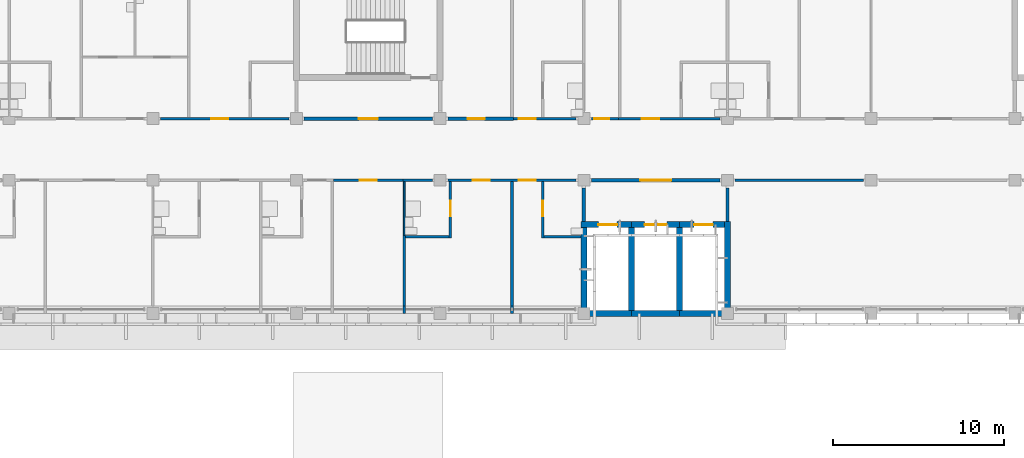
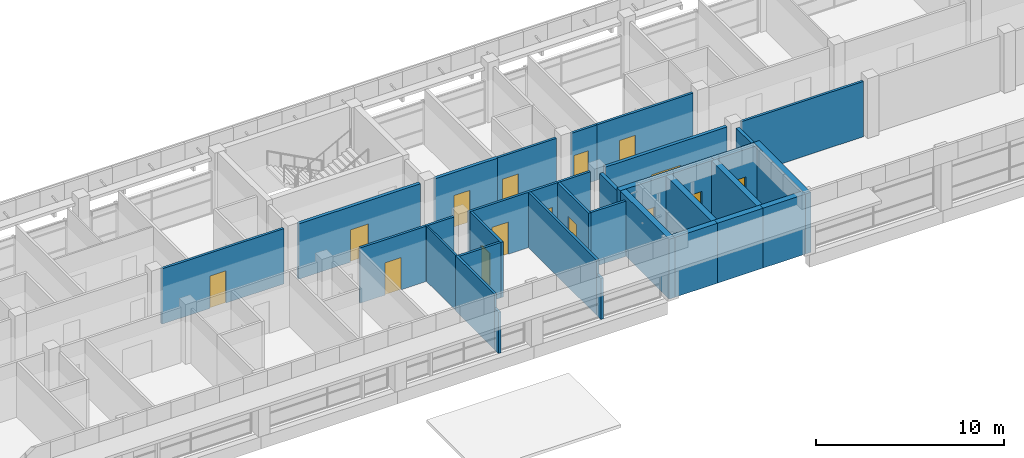
# One storey, part 19 of 36: 32 walls, 15 doors, 15 openings.
"""IFC4 building model written with IfcOpenShell, lengths in metres."""

import ifcopenshell
import ifcopenshell.guid

model = None  # the IFC model being written
_history = None  # IfcOwnerHistory: only IFC2X3 demands one
_inside = {}  # id of a spatial element -> (the spatial element, [elements in it])
_under = {}  # id of a project, library or spatial element -> (it, [spatial elements below it])
_declared = {}  # id of a project -> (the project, [libraries it declares])
_typed = {}  # id of a type object -> (the type object, [elements of that type])
_made_of = {}  # id of a material, layer set ... -> (it, [elements and type objects made of it])


def new_model(schema):
    """Start an empty IFC model of exactly this schema.

    Asked for "IFC4X3", IfcOpenShell would pick the latest addendum, in which some entities
    have other attributes; the version numbers below select the first issue.
    IFC2X3 requires an IfcOwnerHistory on every rooted entity: one is made here for all.
    """
    global model, _history
    if schema == "IFC4X3":
        model = ifcopenshell.file(schema_version=(4, 3, 0, 0))
    else:
        model = ifcopenshell.file(schema=schema)
    _inside.clear()
    _under.clear()
    _declared.clear()
    _typed.clear()
    _made_of.clear()
    _history = None
    if model.schema == "IFC2X3":
        org = make("IfcOrganization", Name="unknown")
        user = make(
            "IfcPersonAndOrganization",
            ThePerson=make("IfcPerson", FamilyName="unknown"),
            TheOrganization=org,
        )
        app = make(
            "IfcApplication",
            ApplicationDeveloper=org,
            Version="unknown",
            ApplicationFullName="unknown",
            ApplicationIdentifier="unknown",
        )
        _history = make(
            "IfcOwnerHistory",
            OwningUser=user,
            OwningApplication=app,
            ChangeAction="ADDED",
            CreationDate=0,
        )
    return model


def make(cls, **values):
    """One entity of the class cls with the attributes given. An attribute that is None is left unset."""
    return model.create_entity(
        cls, **{name: value for name, value in values.items() if value is not None}
    )


def rooted(cls, **values):
    """An entity with a GlobalId (a new one), such as an element, a storey or a relation."""
    return make(cls, GlobalId=ifcopenshell.guid.new(), OwnerHistory=_history, **values)


def si_unit(unit_type, name, prefix=None):
    """IfcSIUnit, for example si_unit("LENGTHUNIT", "METRE", prefix="MILLI")."""
    return make("IfcSIUnit", UnitType=unit_type, Prefix=prefix, Name=name)


def assignment(units):
    """IfcUnitAssignment: the units of a project."""
    return None if units is None else make("IfcUnitAssignment", Units=units)


def point(xyz):
    """IfcCartesianPoint."""
    return None if xyz is None else make("IfcCartesianPoint", Coordinates=xyz)


def direction(xyz):
    """IfcDirection."""
    return None if xyz is None else make("IfcDirection", DirectionRatios=xyz)


def frame(location, z_axis=None, x_axis=None):
    """IfcAxis2Placement3D, a coordinate frame: its origin and axes. An axis left out is left unset."""
    return make(
        "IfcAxis2Placement3D",
        Location=point(location),
        Axis=direction(z_axis),
        RefDirection=direction(x_axis),
    )


def frame_2d(location, x_axis=None):
    """IfcAxis2Placement2D, a coordinate frame in the plane: its origin and x axis."""
    return make(
        "IfcAxis2Placement2D", Location=point(location), RefDirection=direction(x_axis)
    )


def origin():
    """The frame at (0, 0, 0) with its axes left unset."""
    return frame((0.0, 0.0, 0.0))


def place(relative_to, where):
    """IfcLocalPlacement: puts the frame where relative to a parent placement (None: the world)."""
    return make(
        "IfcLocalPlacement", PlacementRelTo=relative_to, RelativePlacement=where
    )


def context(
    kind, dimensions, precision=None, world=None, true_north=None, identifier=None
):
    """IfcGeometricRepresentationContext, for example the 3D "Model" context."""
    return make(
        "IfcGeometricRepresentationContext",
        ContextIdentifier=identifier,
        ContextType=kind,
        CoordinateSpaceDimension=dimensions,
        Precision=precision,
        WorldCoordinateSystem=world,
        TrueNorth=true_north,
    )


def subcontext(parent, identifier, kind, view, scale=None):
    """IfcGeometricRepresentationSubContext, for example "Body" below "Model"."""
    return make(
        "IfcGeometricRepresentationSubContext",
        ContextIdentifier=identifier,
        ContextType=kind,
        ParentContext=parent,
        TargetScale=scale,
        TargetView=view,
    )


def project(units=None, contexts=None):
    """IfcProject with its units and contexts."""
    return rooted(
        "IfcProject",
        Name="project",
        RepresentationContexts=contexts,
        UnitsInContext=assignment(units),
    )


def spatial(cls, under=None, at=None, **own):
    """A site, building, storey or space (cls), placed at a placement, below another one or the project."""
    s = rooted(cls, ObjectPlacement=at, **own)
    if under is not None:
        _under.setdefault(under.id(), (under, []))[1].append(s)
    return s


def profile(cls, at=None, kind="AREA", **sizes):
    """A parametric profile (cls). Its sizes go by their IFC names, for example OverallWidth=200.0."""
    return make(cls, ProfileType=kind, Position=at, **sizes)


def rectangle(**sizes):
    """IfcRectangleProfileDef."""
    return profile("IfcRectangleProfileDef", **sizes)


def extrude(swept, where, along, depth):
    """IfcExtrudedAreaSolid: the profile swept, set in the frame where, extruded along a direction by depth."""
    return make(
        "IfcExtrudedAreaSolid",
        SweptArea=swept,
        Position=where,
        ExtrudedDirection=direction(along),
        Depth=depth,
    )


def shape(context_of_items, identifier, shape_type, items):
    """IfcShapeRepresentation: the items that make up one representation, for example the "Body"."""
    return make(
        "IfcShapeRepresentation",
        ContextOfItems=context_of_items,
        RepresentationIdentifier=identifier,
        RepresentationType=shape_type,
        Items=items,
    )


def material(Name=None, Category=None):
    """IfcMaterial."""
    return make("IfcMaterial", Name=Name, Category=Category)


def layer(
    of_material, thickness, ventilated=None, Name=None, Category=None, Priority=None
):
    """IfcMaterialLayer: one layer of a wall or slab, of a material (None: an air gap)."""
    return make(
        "IfcMaterialLayer",
        Material=of_material,
        LayerThickness=thickness,
        IsVentilated=ventilated,
        Name=Name,
        Category=Category,
        Priority=Priority,
    )


def layer_set(layers, Name=None):
    """IfcMaterialLayerSet."""
    return make("IfcMaterialLayerSet", MaterialLayers=layers, LayerSetName=Name)


def made_of(thing, what):
    """Note that an element or type object is made of a material, layer set ...; save() writes the relation."""
    if what is not None:
        _made_of.setdefault(what.id(), (what, []))[1].append(thing)
    return thing


def type_object(cls, material=None, **own):
    """A type object (cls), such as IfcWallType, which elements share."""
    return made_of(rooted(cls, **own), material)


def element(
    cls,
    number,
    at=None,
    inside=None,
    cuts=None,
    type_object=None,
    material=None,
    context=None,
    identifier="Body",
    shape_type=None,
    held_by="IfcProductDefinitionShape",
    body=None,
    shapes=None,
    **own,
):
    """One element of the class cls, such as IfcWall. Its Tag is "e" and its number.

    at: its placement. inside: the storey or other place that contains it. cuts: it is an
    opening in that element (IfcRelVoidsElement). A single representation is given by context,
    identifier, shape_type and body (its items); several are given by shapes. held_by: the class
    of the entity that holds the representations. save() writes the other relations.
    """
    e = rooted(cls, Tag="e%d" % number, ObjectPlacement=at, **own)
    if body is not None:
        shapes = [shape(context, identifier, shape_type, body)]
    if shapes is not None:
        e.Representation = make(held_by, Representations=shapes)
    if inside is not None:
        _inside.setdefault(inside.id(), (inside, []))[1].append(e)
    if cuts is not None:
        rooted(
            "IfcRelVoidsElement", RelatingBuildingElement=cuts, RelatedOpeningElement=e
        )
    if type_object is not None:
        _typed.setdefault(type_object.id(), (type_object, []))[1].append(e)
    return made_of(e, material)


def fill(opening, filler):
    """IfcRelFillsElement: the door or window that sits in an opening."""
    return rooted(
        "IfcRelFillsElement",
        RelatingOpeningElement=opening,
        RelatedBuildingElement=filler,
    )


def aggregate(whole, parts):
    """IfcRelAggregates: a whole, such as a stair, and the parts it consists of."""
    return rooted("IfcRelAggregates", RelatingObject=whole, RelatedObjects=parts)


def save(model, path):
    """Write the relations noted so far, then the file.

    IfcRelAggregates (storeys below a building ...), IfcRelContainedInSpatialStructure (elements
    in a storey), IfcRelDefinesByType, IfcRelAssociatesMaterial and IfcRelDeclares: one each for
    every whole, place, type object, material and project.
    """
    for whole, parts in _under.values():
        aggregate(whole, parts)
    for where, things in _inside.values():
        rooted(
            "IfcRelContainedInSpatialStructure",
            RelatedElements=things,
            RelatingStructure=where,
        )
    for kind, things in _typed.values():
        rooted("IfcRelDefinesByType", RelatedObjects=things, RelatingType=kind)
    for what, things in _made_of.values():
        rooted("IfcRelAssociatesMaterial", RelatedObjects=things, RelatingMaterial=what)
    for by, libraries in _declared.values():
        rooted("IfcRelDeclares", RelatingContext=by, RelatedDefinitions=libraries)
    model.write(path)


model = new_model("IFC4")

# Units and contexts
model_context = context("Model", 3, precision=1e-05, world=origin(), true_north=direction((0.0, 1.0)))
body_context = subcontext(model_context, "Body", "Model", "MODEL_VIEW")
ifc_project = project(units=[si_unit("LENGTHUNIT", "METRE"), si_unit("AREAUNIT", "SQUARE_METRE"), si_unit("VOLUMEUNIT", "CUBIC_METRE"), si_unit("PLANEANGLEUNIT", "RADIAN"), si_unit("MASSUNIT", "GRAM", prefix="KILO")], contexts=[model_context])

# Site, building, storey
site_placement = place(None, origin())
site = spatial("IfcSite", under=ifc_project, at=site_placement, CompositionType="ELEMENT")
building_placement = place(site_placement, origin())
building = spatial("IfcBuilding", under=site, at=building_placement, Name="Bougainvillea Quay General Hospital", CompositionType="ELEMENT")
storey_placement = place(building_placement, frame((0.0, 0.0, 32.699951171875)))
storey = spatial("IfcBuildingStorey", under=building, at=storey_placement, Name="L07", CompositionType="ELEMENT", Elevation=32.699951171875)

# Walls
ifc_material_1 = material(Name="Gypsum board partition on steel studs", Category="steel")
ifc_layer_1 = layer(ifc_material_1, 0.10009765625)
ifc_layer_set_1 = layer_set([ifc_layer_1], Name="Gypsum board partition on steel studs")
wall_type_1 = type_object("IfcWallType", Name="Partition 100 Gypsum board partition", PredefinedType="PARTITIONING", material=ifc_layer_set_1)
wall_1_placement = place(storey_placement, frame((140.699951171875, 144.97509765625, 0.0), z_axis=(0.0, 0.0, 1.0), x_axis=(0.0, 1.0, 0.0)))
element("IfcWall", 1, at=wall_1_placement, inside=storey, type_object=wall_type_1, Name="Partition 100 mm", PredefinedType="PARTITIONING", context=body_context, shape_type="SweptSolid", body=[
    extrude(rectangle(XDim=3.14990234375, YDim=0.10009765625, at=frame_2d((1.574951171875, 0.0))), origin(), (0.0, 0.0, 1.0), 3.60009765625),
])
ifc_material_2 = material(Name="Gypsum board partition on steel studs, insulated", Category="steel")
ifc_layer_2 = layer(ifc_material_2, 0.14990234375)
ifc_layer_set_2 = layer_set([ifc_layer_2], Name="Gypsum board partition on steel studs, insulated")
wall_type_2 = type_object("IfcWallType", Name="Partition 150 Gypsum board partition", PredefinedType="PARTITIONING", material=ifc_layer_set_2)
wall_2_placement = place(storey_placement, frame((147.0, 140.39990234375, 0.0), z_axis=(0.0, 0.0, 1.0), x_axis=(0.0, 1.0, 0.0)))
element("IfcWall", 2, at=wall_2_placement, inside=storey, type_object=wall_type_2, Name="Partition 150 mm", PredefinedType="PARTITIONING", context=body_context, shape_type="SweptSolid", body=[
    extrude(rectangle(XDim=0.4501953125, YDim=0.14990234375, at=frame_2d((0.22509765625, 0.0))), origin(), (0.0, 0.0, 1.0), 2.679931640625),
])
wall_3_placement = place(storey_placement, frame((147.0, 140.85009765625, 0.0), z_axis=(0.0, 0.0, 1.0), x_axis=(0.0, 1.0, 0.0)))
element("IfcWall", 3, at=wall_3_placement, inside=storey, type_object=wall_type_2, Name="Partition 150 mm", PredefinedType="PARTITIONING", context=body_context, shape_type="SweptSolid", body=[
    extrude(rectangle(XDim=7.27490234375, YDim=0.14990234375, at=frame_2d((3.637451171875, 0.0))), origin(), (0.0, 0.0, 1.0), 3.60009765625),
])
wall_4_placement = place(storey_placement, frame((140.699951171875, 140.39990234375, 0.0), z_axis=(0.0, 0.0, 1.0), x_axis=(0.0, 1.0, 0.0)))
element("IfcWall", 4, at=wall_4_placement, inside=storey, type_object=wall_type_2, Name="Partition 150 mm", PredefinedType="PARTITIONING", context=body_context, shape_type="SweptSolid", body=[
    extrude(rectangle(XDim=0.4501953125, YDim=0.14990234375, at=frame_2d((0.22509765625, 0.0))), origin(), (0.0, 0.0, 1.0), 2.679931640625),
])
wall_5_placement = place(storey_placement, frame((140.699951171875, 140.85009765625, 0.0), z_axis=(0.0, 0.0, 1.0), x_axis=(0.0, 1.0, 0.0)))
element("IfcWall", 5, at=wall_5_placement, inside=storey, type_object=wall_type_2, Name="Partition 150 mm", PredefinedType="PARTITIONING", context=body_context, shape_type="SweptSolid", body=[
    extrude(rectangle(XDim=4.125, YDim=0.14990234375, at=frame_2d((2.0625, 0.0))), origin(), (0.0, 0.0, 1.0), 3.60009765625),
])

# Wall, opening, door
wall_6_placement = place(storey_placement, frame((143.39990234375, 144.824951171875, 0.0), z_axis=(0.0, 0.0, 1.0), x_axis=(0.0, 1.0, 0.0)))
wall_6 = element("IfcWall", 6, at=wall_6_placement, inside=storey, type_object=wall_type_2, Name="Partition 150 mm", PredefinedType="PARTITIONING", context=body_context, shape_type="SweptSolid", body=[
    extrude(rectangle(XDim=3.300048828125, YDim=0.14990234375, at=frame_2d((1.64990234375, 0.0))), origin(), (0.0, 0.0, 1.0), 3.60009765625),
])
opening_1_placement = place(wall_6_placement, frame((1.27490234375, 0.0, 0.0)))
opening_1 = element("IfcOpeningElement", 7, at=opening_1_placement, cuts=wall_6, Name="Opening L07.046", PredefinedType="OPENING", context=body_context, shape_type="SweptSolid", body=[
    extrude(rectangle(XDim=0.89990234375, YDim=2.10009765625, at=frame_2d((0.449951171875, 1.050048828125))), frame((0.0, 0.0849609375, 0.0), z_axis=(0.0, -1.0, 0.0), x_axis=(1.0, 0.0, 0.0)), (0.0, 0.0, 1.0), 0.169921875),
])
ifc_material_3 = material(Name="Solid-core timber door leaf in steel frame", Category="steel")
door_type_1 = type_object("IfcDoorType", Name="Single leaf door 900x2100", OperationType="NOTDEFINED", PredefinedType="DOOR", material=ifc_material_3)
door_1_placement = place(opening_1_placement, origin())
door_1 = element("IfcDoor", 8, at=door_1_placement, inside=storey, type_object=door_type_1, Name="DT07 L07.046", OperationType="SINGLE_SWING_RIGHT", OverallHeight=2.10009765625, OverallWidth=0.89990234375, PredefinedType="DOOR", context=body_context, shape_type="SweptSolid", body=[
    extrude(rectangle(XDim=0.89990234375, YDim=2.10009765625, at=frame_2d((0.449951171875, 1.050048828125))), frame((0.0, 0.02490234375, 0.0), z_axis=(0.0, -1.0, 0.0), x_axis=(1.0, 0.0, 0.0)), (0.0, 0.0, 1.0), 0.050048828125),
])
fill(opening_1, door_1)

wall_7_placement = place(storey_placement, frame((148.800048828125, 144.824951171875, 0.0), z_axis=(0.0, 0.0, 1.0), x_axis=(0.0, 1.0, 0.0)))
wall_7 = element("IfcWall", 9, at=wall_7_placement, inside=storey, type_object=wall_type_2, Name="Partition 150 mm", PredefinedType="PARTITIONING", context=body_context, shape_type="SweptSolid", body=[
    extrude(rectangle(XDim=3.300048828125, YDim=0.14990234375, at=frame_2d((1.64990234375, 0.0))), origin(), (0.0, 0.0, 1.0), 3.60009765625),
])
opening_2_placement = place(wall_7_placement, frame((1.27490234375, 0.0, 0.0)))
opening_2 = element("IfcOpeningElement", 10, at=opening_2_placement, cuts=wall_7, Name="Opening L07.048", PredefinedType="OPENING", context=body_context, shape_type="SweptSolid", body=[
    extrude(rectangle(XDim=0.89990234375, YDim=2.10009765625, at=frame_2d((0.449951171875, 1.050048828125))), frame((0.0, 0.0849609375, 0.0), z_axis=(0.0, -1.0, 0.0), x_axis=(1.0, 0.0, 0.0)), (0.0, 0.0, 1.0), 0.169921875),
])
door_2_placement = place(opening_2_placement, frame((0.89990234375, 0.0, 0.0), z_axis=(0.0, 0.0, 1.0), x_axis=(-1.0, 0.0, 0.0)))
door_2 = element("IfcDoor", 11, at=door_2_placement, inside=storey, type_object=door_type_1, Name="DT07 L07.048", OperationType="SINGLE_SWING_LEFT", OverallHeight=2.10009765625, OverallWidth=0.89990234375, PredefinedType="DOOR", context=body_context, shape_type="SweptSolid", body=[
    extrude(rectangle(XDim=0.89990234375, YDim=2.10009765625, at=frame_2d((0.449951171875, 1.050048828125))), frame((0.0, 0.02490234375, 0.0), z_axis=(0.0, -1.0, 0.0), x_axis=(1.0, 0.0, 0.0)), (0.0, 0.0, 1.0), 0.050048828125),
])
fill(opening_2, door_2)

# Walls
wall_8_placement = place(storey_placement, frame((140.77490234375, 144.89990234375, 0.0), z_axis=(0.0, 0.0, 1.0), x_axis=(1.0, 0.0, 0.0)))
element("IfcWall", 12, at=wall_8_placement, inside=storey, type_object=wall_type_2, Name="Partition 150 mm", PredefinedType="PARTITIONING", context=body_context, shape_type="SweptSolid", body=[
    extrude(rectangle(XDim=2.550048828125, YDim=0.14990234375, at=frame_2d((1.27490234375, 0.0))), origin(), (0.0, 0.0, 1.0), 3.60009765625),
])
wall_9_placement = place(storey_placement, frame((148.875, 144.89990234375, 0.0), z_axis=(0.0, 0.0, 1.0), x_axis=(1.0, 0.0, 0.0)))
element("IfcWall", 13, at=wall_9_placement, inside=storey, type_object=wall_type_2, Name="Partition 150 mm", PredefinedType="PARTITIONING", context=body_context, shape_type="SweptSolid", body=[
    extrude(rectangle(XDim=2.14990234375, YDim=0.14990234375, at=frame_2d((1.074951171875, 0.0))), origin(), (0.0, 0.0, 1.0), 3.60009765625),
])
ifc_layer_3 = layer(ifc_material_2, 0.14990234375)
ifc_layer_set_3 = layer_set([ifc_layer_3], Name="Gypsum board partition on steel studs, insulated")
wall_type_3 = type_object("IfcWallType", Name="Partition 150 Gypsum board partition EI 30", PredefinedType="PARTITIONING", material=ifc_layer_set_3)
wall_10_placement = place(storey_placement, frame((160.050048828125, 148.199951171875, 0.0), z_axis=(0.0, 0.0, 1.0), x_axis=(1.0, 0.0, 0.0)))
element("IfcWall", 14, at=wall_10_placement, inside=storey, type_object=wall_type_3, Name="Partition 150 mm EI 30", PredefinedType="PARTITIONING", context=body_context, shape_type="SweptSolid", body=[
    extrude(rectangle(XDim=7.5, YDim=0.14990234375, at=frame_2d((3.75, 0.0))), origin(), (0.0, 0.0, 1.0), 3.60009765625),
])

# Wall, opening, door
wall_11_placement = place(storey_placement, frame((133.949951171875, 151.800048828125, 0.0), z_axis=(0.0, 0.0, 1.0), x_axis=(-1.0, 0.0, 0.0)))
wall_11 = element("IfcWall", 15, at=wall_11_placement, inside=storey, type_object=wall_type_3, Name="Partition 150 mm EI 30", PredefinedType="PARTITIONING", context=body_context, shape_type="SweptSolid", body=[
    extrude(rectangle(XDim=7.5, YDim=0.14990234375, at=frame_2d((3.75, 0.0))), origin(), (0.0, 0.0, 1.0), 3.60009765625),
])
opening_3_placement = place(wall_11_placement, frame((3.550048828125, 0.0, 0.0)))
opening_3 = element("IfcOpeningElement", 16, at=opening_3_placement, cuts=wall_11, Name="Opening L07.057", PredefinedType="OPENING", context=body_context, shape_type="SweptSolid", body=[
    extrude(rectangle(XDim=1.0, YDim=2.10009765625, at=frame_2d((0.5, 1.050048828125))), frame((0.0, 0.0849609375, 0.0), z_axis=(0.0, -1.0, 0.0), x_axis=(1.0, 0.0, 0.0)), (0.0, 0.0, 1.0), 0.169921875),
])
door_type_2 = type_object("IfcDoorType", Name="Single leaf door 1000x2100 FD30S", OperationType="NOTDEFINED", PredefinedType="DOOR", material=ifc_material_3)
door_3_placement = place(opening_3_placement, frame((1.0, 0.0, 0.0), z_axis=(0.0, 0.0, 1.0), x_axis=(-1.0, 0.0, 0.0)))
door_3 = element("IfcDoor", 17, at=door_3_placement, inside=storey, type_object=door_type_2, Name="DT15 L07.057", OperationType="SINGLE_SWING_LEFT", OverallHeight=2.10009765625, OverallWidth=1.0, PredefinedType="DOOR", context=body_context, shape_type="SweptSolid", body=[
    extrude(rectangle(XDim=1.0, YDim=2.10009765625, at=frame_2d((0.5, 1.050048828125))), frame((0.0, 0.02490234375, 0.0), z_axis=(0.0, -1.0, 0.0), x_axis=(1.0, 0.0, 0.0)), (0.0, 0.0, 1.0), 0.050048828125),
])
fill(opening_3, door_3)

wall_12_placement = place(storey_placement, frame((159.14990234375, 151.800048828125, 0.0), z_axis=(0.0, 0.0, 1.0), x_axis=(-1.0, 0.0, 0.0)))
wall_12 = element("IfcWall", 18, at=wall_12_placement, inside=storey, type_object=wall_type_3, Name="Partition 150 mm EI 30", PredefinedType="PARTITIONING", context=body_context, shape_type="SweptSolid", body=[
    extrude(rectangle(XDim=5.9248046875, YDim=0.14990234375, at=frame_2d((2.96240234375, 0.0))), origin(), (0.0, 0.0, 1.0), 3.60009765625),
])
opening_4_placement = place(wall_12_placement, frame((3.550048828125, 0.0, 0.0)))
opening_4 = element("IfcOpeningElement", 19, at=opening_4_placement, cuts=wall_12, Name="Opening L07.062", PredefinedType="OPENING", context=body_context, shape_type="SweptSolid", body=[
    extrude(rectangle(XDim=1.0, YDim=2.10009765625, at=frame_2d((0.5, 1.050048828125))), frame((0.0, 0.0849609375, 0.0), z_axis=(0.0, -1.0, 0.0), x_axis=(1.0, 0.0, 0.0)), (0.0, 0.0, 1.0), 0.169921875),
])
door_4_placement = place(opening_4_placement, frame((1.0, 0.0, 0.0), z_axis=(0.0, 0.0, 1.0), x_axis=(-1.0, 0.0, 0.0)))
door_4 = element("IfcDoor", 20, at=door_4_placement, inside=storey, type_object=door_type_2, Name="DT15 L07.062", OperationType="SINGLE_SWING_LEFT", OverallHeight=2.10009765625, OverallWidth=1.0, PredefinedType="DOOR", context=body_context, shape_type="SweptSolid", body=[
    extrude(rectangle(XDim=1.0, YDim=2.10009765625, at=frame_2d((0.5, 1.050048828125))), frame((0.0, 0.02490234375, 0.0), z_axis=(0.0, -1.0, 0.0), x_axis=(1.0, 0.0, 0.0)), (0.0, 0.0, 1.0), 0.050048828125),
])
fill(opening_4, door_4)

# Wall, openings, doors
wall_13_placement = place(storey_placement, frame((150.75, 148.199951171875, 0.0), z_axis=(0.0, 0.0, 1.0), x_axis=(-1.0, 0.0, 0.0)))
wall_13 = element("IfcWall", 21, at=wall_13_placement, inside=storey, type_object=wall_type_3, Name="Partition 150 mm EI 30", PredefinedType="PARTITIONING", context=body_context, shape_type="SweptSolid", body=[
    extrude(rectangle(XDim=7.5, YDim=0.14990234375, at=frame_2d((3.75, 0.0))), origin(), (0.0, 0.0, 1.0), 3.60009765625),
])
opening_5_placement = place(wall_13_placement, frame((5.050048828125, 0.0, 0.0)))
opening_5 = element("IfcOpeningElement", 22, at=opening_5_placement, cuts=wall_13, Name="Opening L07.045", PredefinedType="OPENING", context=body_context, shape_type="SweptSolid", body=[
    extrude(rectangle(XDim=1.0, YDim=2.10009765625, at=frame_2d((0.5, 1.050048828125))), frame((0.0, 0.0849609375, 0.0), z_axis=(0.0, -1.0, 0.0), x_axis=(1.0, 0.0, 0.0)), (0.0, 0.0, 1.0), 0.169921875),
])
opening_6_placement = place(wall_13_placement, frame((2.35009765625, 0.0, 0.0)))
opening_6 = element("IfcOpeningElement", 23, at=opening_6_placement, cuts=wall_13, Name="Opening L07.047", PredefinedType="OPENING", context=body_context, shape_type="SweptSolid", body=[
    extrude(rectangle(XDim=1.0, YDim=2.10009765625, at=frame_2d((0.5, 1.050048828125))), frame((0.0, 0.0849609375, 0.0), z_axis=(0.0, -1.0, 0.0), x_axis=(1.0, 0.0, 0.0)), (0.0, 0.0, 1.0), 0.169921875),
])
door_5_placement = place(opening_5_placement, origin())
door_5 = element("IfcDoor", 24, at=door_5_placement, inside=storey, type_object=door_type_2, Name="DT15 L07.045", OperationType="SINGLE_SWING_RIGHT", OverallHeight=2.10009765625, OverallWidth=1.0, PredefinedType="DOOR", context=body_context, shape_type="SweptSolid", body=[
    extrude(rectangle(XDim=1.0, YDim=2.10009765625, at=frame_2d((0.5, 1.050048828125))), frame((0.0, 0.02490234375, 0.0), z_axis=(0.0, -1.0, 0.0), x_axis=(1.0, 0.0, 0.0)), (0.0, 0.0, 1.0), 0.050048828125),
])
fill(opening_5, door_5)
door_6_placement = place(opening_6_placement, origin())
door_6 = element("IfcDoor", 25, at=door_6_placement, inside=storey, type_object=door_type_2, Name="DT15 L07.047", OperationType="SINGLE_SWING_LEFT", OverallHeight=2.10009765625, OverallWidth=1.0, PredefinedType="DOOR", context=body_context, shape_type="SweptSolid", body=[
    extrude(rectangle(XDim=1.0, YDim=2.10009765625, at=frame_2d((0.5, 1.050048828125))), frame((0.0, 0.02490234375, 0.0), z_axis=(0.0, -1.0, 0.0), x_axis=(1.0, 0.0, 0.0)), (0.0, 0.0, 1.0), 0.050048828125),
])
fill(opening_6, door_6)

# Wall
wall_14_placement = place(storey_placement, frame((142.35009765625, 148.199951171875, 0.0), z_axis=(0.0, 0.0, 1.0), x_axis=(-1.0, 0.0, 0.0)))
element("IfcWall", 26, at=wall_14_placement, inside=storey, type_object=wall_type_3, Name="Partition 150 mm EI 30", PredefinedType="PARTITIONING", context=body_context, shape_type="SweptSolid", body=[
    extrude(rectangle(XDim=1.72509765625, YDim=0.14990234375, at=frame_2d((0.862548828125, 0.0))), origin(), (0.0, 0.0, 1.0), 3.60009765625),
])

# Wall, opening, door
wall_15_placement = place(storey_placement, frame((147.10009765625, 151.800048828125, 0.0), z_axis=(0.0, 0.0, 1.0), x_axis=(1.0, 0.0, 0.0)))
wall_15 = element("IfcWall", 27, at=wall_15_placement, inside=storey, type_object=wall_type_3, Name="Partition 150 mm EI 30", PredefinedType="PARTITIONING", context=body_context, shape_type="SweptSolid", body=[
    extrude(rectangle(XDim=3.64990234375, YDim=0.14990234375, at=frame_2d((1.824951171875, 0.0))), origin(), (0.0, 0.0, 1.0), 3.60009765625),
])
opening_7_placement = place(wall_15_placement, frame((0.300048828125, 0.0, 0.0)))
opening_7 = element("IfcOpeningElement", 28, at=opening_7_placement, cuts=wall_15, Name="Opening L07.059", PredefinedType="OPENING", context=body_context, shape_type="SweptSolid", body=[
    extrude(rectangle(XDim=1.0, YDim=2.10009765625, at=frame_2d((0.5, 1.050048828125))), frame((0.0, 0.0849609375, 0.0), z_axis=(0.0, -1.0, 0.0), x_axis=(1.0, 0.0, 0.0)), (0.0, 0.0, 1.0), 0.169921875),
])
door_7_placement = place(opening_7_placement, origin())
door_7 = element("IfcDoor", 29, at=door_7_placement, inside=storey, type_object=door_type_2, Name="DT15 L07.059", OperationType="SINGLE_SWING_LEFT", OverallHeight=2.10009765625, OverallWidth=1.0, PredefinedType="DOOR", context=body_context, shape_type="SweptSolid", body=[
    extrude(rectangle(XDim=1.0, YDim=2.10009765625, at=frame_2d((0.5, 1.050048828125))), frame((0.0, 0.02490234375, 0.0), z_axis=(0.0, -1.0, 0.0), x_axis=(1.0, 0.0, 0.0)), (0.0, 0.0, 1.0), 0.050048828125),
])
fill(opening_7, door_7)

ifc_layer_4 = layer(ifc_material_2, 0.14990234375)
ifc_layer_set_4 = layer_set([ifc_layer_4], Name="Gypsum board partition on steel studs, insulated")
wall_type_4 = type_object("IfcWallType", Name="Partition 150 Gypsum board partition EI 60", PredefinedType="PARTITIONING", material=ifc_layer_set_4)
wall_16_placement = place(storey_placement, frame((136.574951171875, 148.199951171875, 0.0), z_axis=(0.0, 0.0, 1.0), x_axis=(1.0, 0.0, 0.0)))
wall_16 = element("IfcWall", 30, at=wall_16_placement, inside=storey, type_object=wall_type_4, Name="Partition 150 mm EI 60", PredefinedType="PARTITIONING", context=body_context, shape_type="SweptSolid", body=[
    extrude(rectangle(XDim=4.050048828125, YDim=0.14990234375, at=frame_2d((2.02490234375, 0.0))), origin(), (0.0, 0.0, 1.0), 3.60009765625),
])
opening_8_placement = place(wall_16_placement, frame((1.52490234375, 0.0, 0.0)))
opening_8 = element("IfcOpeningElement", 31, at=opening_8_placement, cuts=wall_16, Name="Opening L07.044", PredefinedType="OPENING", context=body_context, shape_type="SweptSolid", body=[
    extrude(rectangle(XDim=1.0, YDim=2.10009765625, at=frame_2d((0.5, 1.050048828125))), frame((0.0, 0.0849609375, 0.0), z_axis=(0.0, -1.0, 0.0), x_axis=(1.0, 0.0, 0.0)), (0.0, 0.0, 1.0), 0.169921875),
])
door_type_3 = type_object("IfcDoorType", Name="Single leaf door 1000x2100 FD60", OperationType="NOTDEFINED", PredefinedType="DOOR", material=ifc_material_3)
door_8_placement = place(opening_8_placement, frame((1.0, 0.0, 0.0), z_axis=(0.0, 0.0, 1.0), x_axis=(-1.0, 0.0, 0.0)))
door_8 = element("IfcDoor", 32, at=door_8_placement, inside=storey, type_object=door_type_3, Name="DT14 L07.044", OperationType="SINGLE_SWING_RIGHT", OverallHeight=2.10009765625, OverallWidth=1.0, PredefinedType="DOOR", context=body_context, shape_type="SweptSolid", body=[
    extrude(rectangle(XDim=1.0, YDim=2.10009765625, at=frame_2d((0.5, 1.050048828125))), frame((0.0, 0.02490234375, 0.0), z_axis=(0.0, -1.0, 0.0), x_axis=(1.0, 0.0, 0.0)), (0.0, 0.0, 1.0), 0.050048828125),
])
fill(opening_8, door_8)

wall_17_placement = place(storey_placement, frame((151.64990234375, 151.800048828125, 0.0), z_axis=(0.0, 0.0, 1.0), x_axis=(1.0, 0.0, 0.0)))
wall_17 = element("IfcWall", 33, at=wall_17_placement, inside=storey, type_object=wall_type_4, Name="Partition 150 mm EI 60", PredefinedType="PARTITIONING", context=body_context, shape_type="SweptSolid", body=[
    extrude(rectangle(XDim=1.5751953125, YDim=0.14990234375, at=frame_2d((0.78759765625, 0.0))), origin(), (0.0, 0.0, 1.0), 3.60009765625),
])
opening_9_placement = place(wall_17_placement, frame((0.14990234375, 0.0, 0.0)))
opening_9 = element("IfcOpeningElement", 34, at=opening_9_placement, cuts=wall_17, Name="Opening L07.061", PredefinedType="OPENING", context=body_context, shape_type="SweptSolid", body=[
    extrude(rectangle(XDim=0.89990234375, YDim=2.10009765625, at=frame_2d((0.449951171875, 1.050048828125))), frame((0.0, 0.0849609375, 0.0), z_axis=(0.0, -1.0, 0.0), x_axis=(1.0, 0.0, 0.0)), (0.0, 0.0, 1.0), 0.169921875),
])
door_type_4 = type_object("IfcDoorType", Name="Single leaf door 900x2100 FD60", OperationType="NOTDEFINED", PredefinedType="DOOR", material=ifc_material_3)
door_9_placement = place(opening_9_placement, origin())
door_9 = element("IfcDoor", 35, at=door_9_placement, inside=storey, type_object=door_type_4, Name="DT18 L07.061", OperationType="SINGLE_SWING_LEFT", OverallHeight=2.10009765625, OverallWidth=0.89990234375, PredefinedType="DOOR", context=body_context, shape_type="SweptSolid", body=[
    extrude(rectangle(XDim=0.89990234375, YDim=2.10009765625, at=frame_2d((0.449951171875, 1.050048828125))), frame((0.0, 0.02490234375, 0.0), z_axis=(0.0, -1.0, 0.0), x_axis=(1.0, 0.0, 0.0)), (0.0, 0.0, 1.0), 0.050048828125),
])
fill(opening_9, door_9)

ifc_material_4 = material(Name="Fire-rated autoclaved aerated block wall, plastered")
ifc_layer_5 = layer(ifc_material_4, 0.199951171875)
ifc_layer_set_5 = layer_set([ifc_layer_5], Name="Fire-rated autoclaved aerated block wall, plastered")
wall_type_5 = type_object("IfcWallType", Name="Partition 200 Fire-rated autoclaved aerated block wall EI 120", PredefinedType="SOLIDWALL", material=ifc_layer_set_5)
wall_18_placement = place(storey_placement, frame((134.85009765625, 151.800048828125, 0.0), z_axis=(0.0, 0.0, 1.0), x_axis=(1.0, 0.0, 0.0)))
wall_18 = element("IfcWall", 36, at=wall_18_placement, inside=storey, type_object=wall_type_5, Name="Partition 200 mm EI 120", PredefinedType="SOLIDWALL", context=body_context, shape_type="SweptSolid", body=[
    extrude(rectangle(XDim=7.5, YDim=0.199951171875, at=frame_2d((3.75, 0.0))), origin(), (0.0, 0.0, 1.0), 3.60009765625),
])
opening_10_placement = place(wall_18_placement, frame((3.199951171875, 0.0, 0.0)))
opening_10 = element("IfcOpeningElement", 37, at=opening_10_placement, cuts=wall_18, Name="Opening L07.077", PredefinedType="OPENING", context=body_context, shape_type="SweptSolid", body=[
    extrude(rectangle(XDim=1.10009765625, YDim=2.10009765625, at=frame_2d((0.550048828125, 1.050048828125))), frame((0.0, 0.10986328125, 0.0), z_axis=(0.0, -1.0, 0.0), x_axis=(1.0, 0.0, 0.0)), (0.0, 0.0, 1.0), 0.219970703125),
])
ifc_material_5 = material(Name="Steel fire door leaf in steel frame", Category="steel")
door_type_5 = type_object("IfcDoorType", Name="Steel single leaf door 1100x2100 FD60", OperationType="NOTDEFINED", PredefinedType="DOOR", material=ifc_material_5)
door_10_placement = place(opening_10_placement, origin())
door_10 = element("IfcDoor", 38, at=door_10_placement, inside=storey, type_object=door_type_5, Name="DT04 L07.077", OperationType="SINGLE_SWING_RIGHT", OverallHeight=2.10009765625, OverallWidth=1.10009765625, PredefinedType="DOOR", context=body_context, shape_type="SweptSolid", body=[
    extrude(rectangle(XDim=1.10009765625, YDim=2.10009765625, at=frame_2d((0.550048828125, 1.050048828125))), frame((0.0, 0.02490234375, 0.0), z_axis=(0.0, -1.0, 0.0), x_axis=(1.0, 0.0, 0.0)), (0.0, 0.0, 1.0), 0.050048828125),
])
fill(opening_10, door_10)

wall_19_placement = place(storey_placement, frame((143.25, 151.800048828125, 0.0), z_axis=(0.0, 0.0, 1.0), x_axis=(1.0, 0.0, 0.0)))
wall_19 = element("IfcWall", 39, at=wall_19_placement, inside=storey, type_object=wall_type_5, Name="Partition 200 mm EI 120", PredefinedType="SOLIDWALL", context=body_context, shape_type="SweptSolid", body=[
    extrude(rectangle(XDim=3.85009765625, YDim=0.199951171875, at=frame_2d((1.925048828125, 0.0))), origin(), (0.0, 0.0, 1.0), 3.60009765625),
])
opening_11_placement = place(wall_19_placement, frame((1.14990234375, 0.0, 0.0)))
opening_11 = element("IfcOpeningElement", 40, at=opening_11_placement, cuts=wall_19, Name="Opening L07.069", PredefinedType="OPENING", context=body_context, shape_type="SweptSolid", body=[
    extrude(rectangle(XDim=1.0, YDim=2.10009765625, at=frame_2d((0.5, 1.050048828125))), frame((0.0, 0.10986328125, 0.0), z_axis=(0.0, -1.0, 0.0), x_axis=(1.0, 0.0, 0.0)), (0.0, 0.0, 1.0), 0.219970703125),
])
door_type_6 = type_object("IfcDoorType", Name="Steel single leaf door 1000x2100 FD90", OperationType="NOTDEFINED", PredefinedType="DOOR", material=ifc_material_5)
door_11_placement = place(opening_11_placement, origin())
door_11 = element("IfcDoor", 41, at=door_11_placement, inside=storey, type_object=door_type_6, Name="DT11 L07.069", OperationType="SINGLE_SWING_LEFT", OverallHeight=2.10009765625, OverallWidth=1.0, PredefinedType="DOOR", context=body_context, shape_type="SweptSolid", body=[
    extrude(rectangle(XDim=1.0, YDim=2.10009765625, at=frame_2d((0.5, 1.050048828125))), frame((0.0, 0.02490234375, 0.0), z_axis=(0.0, -1.0, 0.0), x_axis=(1.0, 0.0, 0.0)), (0.0, 0.0, 1.0), 0.050048828125),
])
fill(opening_11, door_11)

wall_20_placement = place(storey_placement, frame((151.64990234375, 148.199951171875, 0.0), z_axis=(0.0, 0.0, 1.0), x_axis=(1.0, 0.0, 0.0)))
wall_20 = element("IfcWall", 42, at=wall_20_placement, inside=storey, type_object=wall_type_5, Name="Partition 200 mm EI 120", PredefinedType="SOLIDWALL", context=body_context, shape_type="SweptSolid", body=[
    extrude(rectangle(XDim=7.5, YDim=0.199951171875, at=frame_2d((3.75, 0.0))), origin(), (0.0, 0.0, 1.0), 3.60009765625),
])
opening_12_placement = place(wall_20_placement, frame((2.85009765625, 0.0, 0.0)))
opening_12 = element("IfcOpeningElement", 43, at=opening_12_placement, cuts=wall_20, Name="Opening L07.071", PredefinedType="OPENING", context=body_context, shape_type="SweptSolid", body=[
    extrude(rectangle(XDim=1.800048828125, YDim=2.10009765625, at=frame_2d((0.89990234375, 1.050048828125))), frame((0.0, 0.10986328125, 0.0), z_axis=(0.0, -1.0, 0.0), x_axis=(1.0, 0.0, 0.0)), (0.0, 0.0, 1.0), 0.219970703125),
])
ifc_material_6 = material(Name="Steel fire door leaves in steel frame", Category="steel")
door_type_7 = type_object("IfcDoorType", Name="Steel double leaf door 1800x2100 FD60", OperationType="DOUBLE_DOOR_SINGLE_SWING", PredefinedType="DOOR", material=ifc_material_6)
door_12_placement = place(opening_12_placement, frame((1.800048828125, 0.0, 0.0), z_axis=(0.0, 0.0, 1.0), x_axis=(-1.0, 0.0, 0.0)))
door_12 = element("IfcDoor", 44, at=door_12_placement, inside=storey, type_object=door_type_7, Name="DT05 L07.071", OperationType="DOUBLE_DOOR_SINGLE_SWING", OverallHeight=2.10009765625, OverallWidth=1.800048828125, PredefinedType="DOOR", context=body_context, shape_type="SweptSolid", body=[
    extrude(rectangle(XDim=1.800048828125, YDim=2.10009765625, at=frame_2d((0.89990234375, 1.050048828125))), frame((0.0, 0.02490234375, 0.0), z_axis=(0.0, -1.0, 0.0), x_axis=(1.0, 0.0, 0.0)), (0.0, 0.0, 1.0), 0.050048828125),
])
fill(opening_12, door_12)

# Walls
for number, where, z_axis, x_axis, name in (
    (45, (151.199951171875, 145.77490234375, 0.0), (0.0, 0.0, 1.0), (0.0, 1.0, 0.0), "Partition 200 mm EI 120"),
    (46, (159.60009765625, 145.77490234375, 0.0), (0.0, 0.0, 1.0), (0.0, 1.0, 0.0), "Partition 200 mm EI 120"),
):
    element("IfcWall", number, at=place(storey_placement, frame(where, z_axis=z_axis, x_axis=x_axis)), inside=storey, type_object=wall_type_5, Name=name, PredefinedType="SOLIDWALL", context=body_context, shape_type="SweptSolid", body=[
        extrude(rectangle(XDim=1.97509765625, YDim=0.199951171875, at=frame_2d((0.987548828125, 0.0))), origin(), (0.0, 0.0, 1.0), 3.60009765625),
    ])

# Wall, opening, door
ifc_material_7 = material(Name="Concrete C40", Category="concrete")
ifc_layer_6 = layer(ifc_material_7, 0.35009765625)
ifc_layer_set_6 = layer_set([ifc_layer_6], Name="Concrete C40")
wall_type_6 = type_object("IfcWallType", Name="RC SHEAR WALL 350 C40", PredefinedType="SHEAR", material=ifc_layer_set_6)
wall_21_placement = place(storey_placement, frame((151.02490234375, 145.60009765625, 0.0), z_axis=(0.0, 0.0, 1.0), x_axis=(1.0, 0.0, 0.0)))
wall_21 = element("IfcWall", 47, at=wall_21_placement, inside=storey, type_object=wall_type_6, Name="Shear wall L07", PredefinedType="SHEAR", context=body_context, shape_type="SweptSolid", body=[
    extrude(rectangle(XDim=2.97509765625, YDim=0.35009765625, at=frame_2d((1.487548828125, 0.0))), origin(), (0.0, 0.0, 1.0), 3.900146484375),
])
opening_13_placement = place(wall_21_placement, frame((1.02490234375, 0.0, 0.0)))
opening_13 = element("IfcOpeningElement", 48, at=opening_13_placement, cuts=wall_21, Name="Opening LD-A2.1-L07", PredefinedType="OPENING", context=body_context, shape_type="SweptSolid", body=[
    extrude(rectangle(XDim=1.10009765625, YDim=2.10009765625, at=frame_2d((0.550048828125, 1.050048828125))), frame((0.0, 0.18505859375, 0.0), z_axis=(0.0, -1.0, 0.0), x_axis=(1.0, 0.0, 0.0)), (0.0, 0.0, 1.0), 0.3701171875),
])
ifc_material_8 = material(Name="Stainless steel centre-opening landing door", Category="steel")
door_type_8 = type_object("IfcDoorType", Name="Lift landing door 1100x2100 E 120", OperationType="DOUBLE_DOOR_SLIDING", PredefinedType="DOOR", material=ifc_material_8)
door_13_placement = place(opening_13_placement, origin())
door_13 = element("IfcDoor", 49, at=door_13_placement, inside=storey, type_object=door_type_8, Name="Lift landing door LB-A2-1 L07", OperationType="DOUBLE_DOOR_SLIDING", OverallHeight=2.10009765625, OverallWidth=1.10009765625, PredefinedType="DOOR", context=body_context, shape_type="SweptSolid", body=[
    extrude(rectangle(XDim=1.10009765625, YDim=2.10009765625, at=frame_2d((0.550048828125, 1.050048828125))), frame((0.0, 0.02490234375, 0.0), z_axis=(0.0, -1.0, 0.0), x_axis=(1.0, 0.0, 0.0)), (0.0, 0.0, 1.0), 0.050048828125),
])
fill(opening_13, door_13)

# Walls
wall_22_placement = place(storey_placement, frame((151.199951171875, 140.22509765625, 0.0), z_axis=(0.0, 0.0, 1.0), x_axis=(0.0, 1.0, 0.0)))
element("IfcWall", 50, at=wall_22_placement, inside=storey, type_object=wall_type_6, Name="Shear wall L07", PredefinedType="SHEAR", context=body_context, shape_type="SweptSolid", body=[
    extrude(rectangle(XDim=5.199951171875, YDim=0.35009765625, at=frame_2d((2.60009765625, 0.0))), origin(), (0.0, 0.0, 1.0), 3.900146484375),
])
wall_23_placement = place(storey_placement, frame((151.375, 140.39990234375, 0.0), z_axis=(0.0, 0.0, 1.0), x_axis=(1.0, 0.0, 0.0)))
element("IfcWall", 51, at=wall_23_placement, inside=storey, type_object=wall_type_6, Name="Shear wall L07", PredefinedType="SHEAR", context=body_context, shape_type="SweptSolid", body=[
    extrude(rectangle(XDim=2.625, YDim=0.35009765625, at=frame_2d((1.3125, 0.0))), origin(), (0.0, 0.0, 1.0), 3.900146484375),
])
wall_24_placement = place(storey_placement, frame((154.0, 140.39990234375, 0.0), z_axis=(0.0, 0.0, 1.0), x_axis=(1.0, 0.0, 0.0)))
element("IfcWall", 52, at=wall_24_placement, inside=storey, type_object=wall_type_6, Name="Shear wall L07", PredefinedType="SHEAR", context=body_context, shape_type="SweptSolid", body=[
    extrude(rectangle(XDim=2.800048828125, YDim=0.35009765625, at=frame_2d((1.39990234375, 0.0))), origin(), (0.0, 0.0, 1.0), 3.900146484375),
])
wall_25_placement = place(storey_placement, frame((154.0, 140.574951171875, 0.0), z_axis=(0.0, 0.0, 1.0), x_axis=(0.0, 1.0, 0.0)))
element("IfcWall", 53, at=wall_25_placement, inside=storey, type_object=wall_type_6, Name="Shear wall L07", PredefinedType="SHEAR", context=body_context, shape_type="SweptSolid", body=[
    extrude(rectangle(XDim=4.85009765625, YDim=0.35009765625, at=frame_2d((2.425048828125, 0.0))), origin(), (0.0, 0.0, 1.0), 3.900146484375),
])

# Wall, opening, door
wall_26_placement = place(storey_placement, frame((154.0, 145.60009765625, 0.0), z_axis=(0.0, 0.0, 1.0), x_axis=(1.0, 0.0, 0.0)))
wall_26 = element("IfcWall", 54, at=wall_26_placement, inside=storey, type_object=wall_type_6, Name="Shear wall L07", PredefinedType="SHEAR", context=body_context, shape_type="SweptSolid", body=[
    extrude(rectangle(XDim=2.800048828125, YDim=0.35009765625, at=frame_2d((1.39990234375, 0.0))), origin(), (0.0, 0.0, 1.0), 3.900146484375),
])
opening_14_placement = place(wall_26_placement, frame((0.75, 0.0, 0.0)))
opening_14 = element("IfcOpeningElement", 55, at=opening_14_placement, cuts=wall_26, Name="Opening LD-A2.2-L07", PredefinedType="OPENING", context=body_context, shape_type="SweptSolid", body=[
    extrude(rectangle(XDim=1.300048828125, YDim=2.10009765625, at=frame_2d((0.64990234375, 1.050048828125))), frame((0.0, 0.18505859375, 0.0), z_axis=(0.0, -1.0, 0.0), x_axis=(1.0, 0.0, 0.0)), (0.0, 0.0, 1.0), 0.3701171875),
])
door_type_9 = type_object("IfcDoorType", Name="Lift landing door 1300x2100 E 120", OperationType="DOUBLE_DOOR_SLIDING", PredefinedType="DOOR", material=ifc_material_8)
door_14_placement = place(opening_14_placement, origin())
door_14 = element("IfcDoor", 56, at=door_14_placement, inside=storey, type_object=door_type_9, Name="Lift landing door LB-A2-2 L07", OperationType="DOUBLE_DOOR_SLIDING", OverallHeight=2.10009765625, OverallWidth=1.300048828125, PredefinedType="DOOR", context=body_context, shape_type="SweptSolid", body=[
    extrude(rectangle(XDim=1.300048828125, YDim=2.10009765625, at=frame_2d((0.64990234375, 1.050048828125))), frame((0.0, 0.02490234375, 0.0), z_axis=(0.0, -1.0, 0.0), x_axis=(1.0, 0.0, 0.0)), (0.0, 0.0, 1.0), 0.050048828125),
])
fill(opening_14, door_14)

# Walls
wall_27_placement = place(storey_placement, frame((156.800048828125, 140.39990234375, 0.0), z_axis=(0.0, 0.0, 1.0), x_axis=(1.0, 0.0, 0.0)))
element("IfcWall", 57, at=wall_27_placement, inside=storey, type_object=wall_type_6, Name="Shear wall L07", PredefinedType="SHEAR", context=body_context, shape_type="SweptSolid", body=[
    extrude(rectangle(XDim=2.625, YDim=0.35009765625, at=frame_2d((1.3125, 0.0))), origin(), (0.0, 0.0, 1.0), 3.900146484375),
])
wall_28_placement = place(storey_placement, frame((156.800048828125, 140.574951171875, 0.0), z_axis=(0.0, 0.0, 1.0), x_axis=(0.0, 1.0, 0.0)))
element("IfcWall", 58, at=wall_28_placement, inside=storey, type_object=wall_type_6, Name="Shear wall L07", PredefinedType="SHEAR", context=body_context, shape_type="SweptSolid", body=[
    extrude(rectangle(XDim=4.85009765625, YDim=0.35009765625, at=frame_2d((2.425048828125, 0.0))), origin(), (0.0, 0.0, 1.0), 3.900146484375),
])

# Wall, opening, door
wall_29_placement = place(storey_placement, frame((156.800048828125, 145.60009765625, 0.0), z_axis=(0.0, 0.0, 1.0), x_axis=(1.0, 0.0, 0.0)))
wall_29 = element("IfcWall", 59, at=wall_29_placement, inside=storey, type_object=wall_type_6, Name="Shear wall L07", PredefinedType="SHEAR", context=body_context, shape_type="SweptSolid", body=[
    extrude(rectangle(XDim=2.625, YDim=0.35009765625, at=frame_2d((1.3125, 0.0))), origin(), (0.0, 0.0, 1.0), 3.900146484375),
])
opening_15_placement = place(wall_29_placement, frame((0.85009765625, 0.0, 0.0)))
opening_15 = element("IfcOpeningElement", 60, at=opening_15_placement, cuts=wall_29, Name="Opening LD-A2.3-L07", PredefinedType="OPENING", context=body_context, shape_type="SweptSolid", body=[
    extrude(rectangle(XDim=1.10009765625, YDim=2.10009765625, at=frame_2d((0.550048828125, 1.050048828125))), frame((0.0, 0.18505859375, 0.0), z_axis=(0.0, -1.0, 0.0), x_axis=(1.0, 0.0, 0.0)), (0.0, 0.0, 1.0), 0.3701171875),
])
door_15_placement = place(opening_15_placement, origin())
door_15 = element("IfcDoor", 61, at=door_15_placement, inside=storey, type_object=door_type_8, Name="Lift landing door LB-A2-3 L07", OperationType="DOUBLE_DOOR_SLIDING", OverallHeight=2.10009765625, OverallWidth=1.10009765625, PredefinedType="DOOR", context=body_context, shape_type="SweptSolid", body=[
    extrude(rectangle(XDim=1.10009765625, YDim=2.10009765625, at=frame_2d((0.550048828125, 1.050048828125))), frame((0.0, 0.02490234375, 0.0), z_axis=(0.0, -1.0, 0.0), x_axis=(1.0, 0.0, 0.0)), (0.0, 0.0, 1.0), 0.050048828125),
])
fill(opening_15, door_15)

# Wall
wall_30_placement = place(storey_placement, frame((159.60009765625, 140.22509765625, 0.0), z_axis=(0.0, 0.0, 1.0), x_axis=(0.0, 1.0, 0.0)))
element("IfcWall", 62, at=wall_30_placement, inside=storey, type_object=wall_type_6, Name="Shear wall L07", PredefinedType="SHEAR", context=body_context, shape_type="SweptSolid", body=[
    extrude(rectangle(XDim=5.5498046875, YDim=0.35009765625, at=frame_2d((2.77490234375, 0.0))), origin(), (0.0, 0.0, 1.0), 3.900146484375),
])

save(model, "model.ifc")
